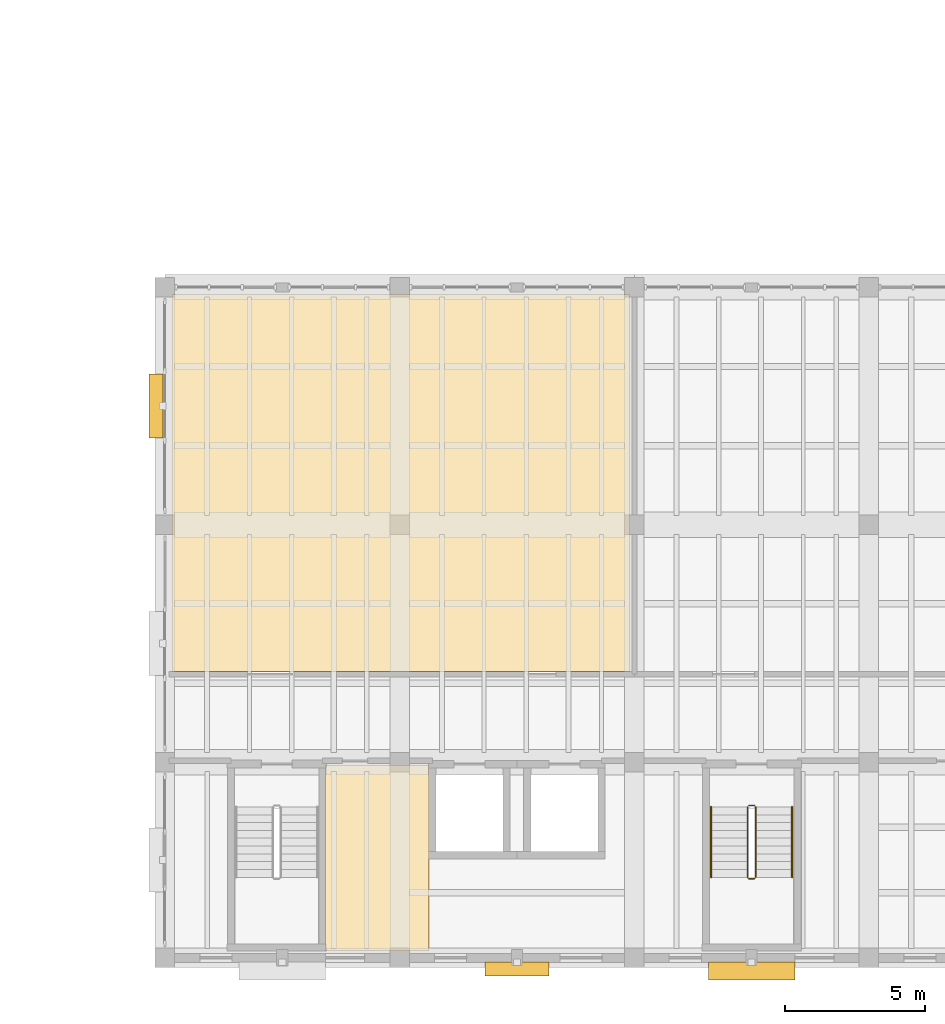
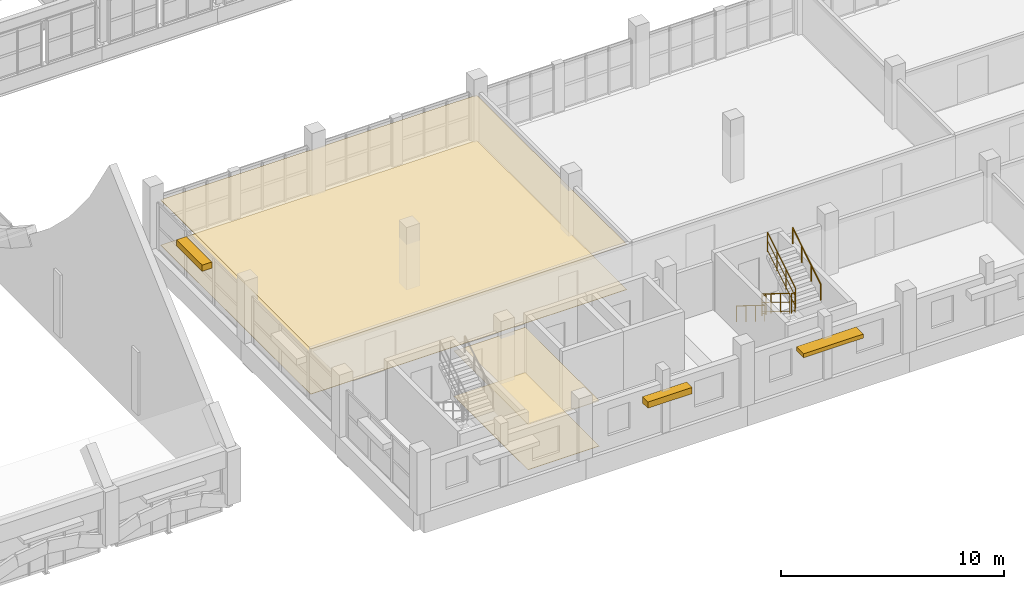
# One storey, part 75 of 77: 6 railings, 4 coverings, 3 shading devices.
"""IFC4 building model written with IfcOpenShell, lengths in metres."""

from ifc_helpers import new_model, si_unit, direction, frame, origin, origin_2d, place, context, subcontext, project, spatial, polyline, rectangle, circle, outline, extrude, material, layer, layer_set, type_object, element, save


model = new_model("IFC4")

# Units and contexts
model_context = context("Model", 3, precision=1e-05, world=origin(), true_north=direction((0.0, 1.0)))
body_context = subcontext(model_context, "Body", "Model", "MODEL_VIEW")
ifc_project = project(units=[si_unit("LENGTHUNIT", "METRE"), si_unit("AREAUNIT", "SQUARE_METRE"), si_unit("VOLUMEUNIT", "CUBIC_METRE"), si_unit("PLANEANGLEUNIT", "RADIAN"), si_unit("MASSUNIT", "GRAM", prefix="KILO")], contexts=[model_context])

# Site, building, storey
site_placement = place(None, origin())
site = spatial("IfcSite", under=ifc_project, at=site_placement, CompositionType="ELEMENT")
building_placement = place(site_placement, origin())
building = spatial("IfcBuilding", under=site, at=building_placement, Name="Trellovar Central Fire Station", CompositionType="ELEMENT")
storey_placement = place(building_placement, frame((0.0, 0.0, 5.85009765625)))
storey = spatial("IfcBuildingStorey", under=building, at=storey_placement, Name="L02", CompositionType="ELEMENT", Elevation=5.85009765625)

# Coverings
ifc_material_1 = material(Name="Perforated acoustic mineral fiber ceiling tile", Category="mineral")
ifc_layer_1 = layer(ifc_material_1, 0.02490234375)
ifc_layer_set_1 = layer_set([ifc_layer_1], Name="Perforated acoustic mineral fiber ceiling tile")
covering_type_1 = type_object("IfcCoveringType", Name="COV-CLG1", PredefinedType="CEILING", material=ifc_layer_set_1)
covering_1_placement = place(storey_placement, frame((0.0, 0.0, 2.47998046875)))
element("IfcCovering", 1, at=covering_1_placement, inside=storey, type_object=covering_type_1, Name="Fire Prevention Plan Review Suite suspended ceiling", PredefinedType="CEILING", context=body_context, shape_type="SweptSolid", body=[
    extrude(outline(polyline([(114.949951171875, 15.89990234375), (114.949951171875, 9.25), (111.25, 9.25), (111.25, 15.89990234375), (114.949951171875, 15.89990234375)])), origin(), (0.0, 0.0, 1.0), 0.02490234375),
])
covering_2_placement = place(storey_placement, frame((0.0, 0.0, 2.47998046875)))
element("IfcCovering", 2, at=covering_2_placement, inside=storey, type_object=covering_type_1, Name="Operations Planning Open Office suspended ceiling", PredefinedType="CEILING", context=body_context, shape_type="SweptSolid", body=[
    extrude(outline(polyline([(122.14990234375, 32.75), (122.14990234375, 19.25), (105.75, 19.25), (105.75, 32.75), (122.14990234375, 32.75)])), origin(), (0.0, 0.0, 1.0), 0.02490234375),
])
ifc_material_2 = material(Name="Vitrified Catalan ceramic floor tile", Category="masonry")
ifc_layer_2 = layer(ifc_material_2, 0.01806640625)
ifc_layer_set_2 = layer_set([ifc_layer_2], Name="Vitrified Catalan ceramic floor tile")
covering_type_2 = type_object("IfcCoveringType", Name="COV-FLR2", PredefinedType="FLOORING", material=ifc_layer_set_2)
covering_3_placement = place(storey_placement, origin())
element("IfcCovering", 3, at=covering_3_placement, inside=storey, type_object=covering_type_2, Name="Fire Prevention Plan Review Suite floor finish", PredefinedType="FLOORING", context=body_context, shape_type="SweptSolid", body=[
    extrude(outline(polyline([(114.949951171875, 15.89990234375), (114.949951171875, 9.25), (111.25, 9.25), (111.25, 15.89990234375), (114.949951171875, 15.89990234375)])), origin(), (0.0, 0.0, 1.0), 0.017822265625),
])
covering_4_placement = place(storey_placement, origin())
element("IfcCovering", 4, at=covering_4_placement, inside=storey, type_object=covering_type_2, Name="Operations Planning Open Office floor finish", PredefinedType="FLOORING", context=body_context, shape_type="SweptSolid", body=[
    extrude(outline(polyline([(122.14990234375, 32.75), (122.14990234375, 19.25), (105.75, 19.25), (105.75, 32.75), (122.14990234375, 32.75)])), origin(), (0.0, 0.0, 1.0), 0.017822265625),
])

# Railings
ifc_material_3 = material(Name="Patina bronze wrought metalwork", Category="metal")
ifc_layer_3 = layer(ifc_material_3, 0.048095703125)
ifc_layer_set_3 = layer_set([ifc_layer_3], Name="Patina bronze wrought metalwork")
railing_type_1 = type_object("IfcRailingType", Name="RL-STAIR", PredefinedType="HANDRAIL", material=ifc_layer_set_3)
railing_1_placement = place(storey_placement, frame((125.050048828125, 14.39990234375, 0.17236328125)))
element("IfcRailing", 5, at=railing_1_placement, inside=storey, type_object=railing_type_1, Name="L02 ST-02 stair handrail 1", PredefinedType="HANDRAIL", context=body_context, shape_type="SweptSolid", body=[
    extrude(circle(Radius=0.02392578125, at=origin_2d()), frame((0.0, 0.0, 0.8759765625), z_axis=(0.0, -0.851400495292, 0.524516154772), x_axis=(1.0, 0.0, 0.0)), (0.0, 0.0, 1.0), 2.9599609375),
    extrude(circle(Radius=0.02099609375, at=origin_2d()), origin(), (0.0, 0.0, 1.0), 0.851806640625),
    extrude(circle(Radius=0.02099609375, at=origin_2d()), frame((0.0, -0.840087890625, 0.517578125)), (0.0, 0.0, 1.0), 0.851806640625),
    extrude(circle(Radius=0.02099609375, at=origin_2d()), frame((0.0, -1.679931640625, 1.034912109375)), (0.0, 0.0, 1.0), 0.851806640625),
    extrude(circle(Radius=0.02099609375, at=origin_2d()), frame((0.0, -2.52001953125, 1.552490234375)), (0.0, 0.0, 1.0), 0.851806640625),
])
railing_2_placement = place(storey_placement, frame((127.949951171875, 11.8798828125, 1.8974609375)))
element("IfcRailing", 6, at=railing_2_placement, inside=storey, type_object=railing_type_1, Name="L02 ST-02 stair handrail 2", PredefinedType="HANDRAIL", context=body_context, shape_type="SweptSolid", body=[
    extrude(circle(Radius=0.02392578125, at=origin_2d()), frame((0.0, 0.0, 0.8759765625), z_axis=(0.0, 0.851400495292, 0.524516154772), x_axis=(-1.0, 0.0, 0.0)), (0.0, 0.0, 1.0), 2.9599609375),
    extrude(circle(Radius=0.02099609375, at=origin_2d()), origin(), (0.0, 0.0, 1.0), 0.851806640625),
    extrude(circle(Radius=0.02099609375, at=origin_2d()), frame((0.0, 0.840087890625, 0.517578125)), (0.0, 0.0, 1.0), 0.851806640625),
    extrude(circle(Radius=0.02099609375, at=origin_2d()), frame((0.0, 1.679931640625, 1.034912109375)), (0.0, 0.0, 1.0), 0.851806640625),
    extrude(circle(Radius=0.02099609375, at=origin_2d()), frame((0.0, 2.52001953125, 1.552490234375)), (0.0, 0.0, 1.0), 0.851806640625),
])
ifc_material_4 = material(Name="Patina bronze wrought metalwork", Category="metal")
ifc_layer_4 = layer(ifc_material_4, 0.050048828125)
ifc_layer_set_4 = layer_set([ifc_layer_4], Name="Patina bronze wrought metalwork")
railing_type_2 = type_object("IfcRailingType", Name="RL-STGUARD", PredefinedType="GUARDRAIL", material=ifc_layer_set_4)
railing_3_placement = place(storey_placement, frame((126.35009765625, 14.39990234375, 0.17236328125)))
element("IfcRailing", 7, at=railing_3_placement, inside=storey, type_object=railing_type_2, Name="L02 ST-02 stair guard 1", PredefinedType="GUARDRAIL", context=body_context, shape_type="SweptSolid", body=[
    extrude(circle(Radius=0.02392578125, at=origin_2d()), frame((0.0, 0.0, 1.076171875), z_axis=(0.0, -0.851400495292, 0.524516154772), x_axis=(1.0, 0.0, 0.0)), (0.0, 0.0, 1.0), 2.9599609375),
    extrude(circle(Radius=0.015625, at=origin_2d()), frame((0.0, 0.0, 0.10009765625), z_axis=(0.0, -0.851400495292, 0.524516154772), x_axis=(1.0, 0.0, 0.0)), (0.0, 0.0, 1.0), 2.9599609375),
    extrude(circle(Radius=0.015625, at=origin_2d()), frame((0.0, 0.0, 0.60498046875), z_axis=(0.0, -0.851400495292, 0.524516154772), x_axis=(1.0, 0.0, 0.0)), (0.0, 0.0, 1.0), 2.9599609375),
    extrude(circle(Radius=0.02099609375, at=origin_2d()), origin(), (0.0, 0.0, 1.0), 1.052001953125),
    extrude(circle(Radius=0.02099609375, at=origin_2d()), frame((0.0, -0.840087890625, 0.517578125)), (0.0, 0.0, 1.0), 1.052001953125),
    extrude(circle(Radius=0.02099609375, at=origin_2d()), frame((0.0, -1.679931640625, 1.034912109375)), (0.0, 0.0, 1.0), 1.052001953125),
    extrude(circle(Radius=0.02099609375, at=origin_2d()), frame((0.0, -2.52001953125, 1.552490234375)), (0.0, 0.0, 1.0), 1.052001953125),
])
railing_4_placement = place(storey_placement, frame((126.39990234375, 11.830078125, 1.724853515625)))
element("IfcRailing", 8, at=railing_4_placement, inside=storey, type_object=railing_type_2, Name="L02 ST-02 stair guard 2", PredefinedType="GUARDRAIL", context=body_context, shape_type="SweptSolid", body=[
    extrude(circle(Radius=0.02392578125, at=origin_2d()), frame((0.0, 0.0, 1.076171875), z_axis=(1.0, 0.0, 0.0), x_axis=(0.0, 1.0, 0.0)), (0.0, 0.0, 1.0), 0.2001953125),
    extrude(circle(Radius=0.015625, at=origin_2d()), frame((0.0, 0.0, 0.10009765625), z_axis=(1.0, 0.0, 0.0), x_axis=(0.0, 1.0, 0.0)), (0.0, 0.0, 1.0), 0.2001953125),
    extrude(circle(Radius=0.015625, at=origin_2d()), frame((0.0, 0.0, 0.60498046875), z_axis=(1.0, 0.0, 0.0), x_axis=(0.0, 1.0, 0.0)), (0.0, 0.0, 1.0), 0.2001953125),
    extrude(circle(Radius=0.02099609375, at=origin_2d()), origin(), (0.0, 0.0, 1.0), 1.052001953125),
    extrude(circle(Radius=0.02099609375, at=origin_2d()), frame((0.2001953125, 0.0, 0.0)), (0.0, 0.0, 1.0), 1.052001953125),
])
railing_5_placement = place(storey_placement, frame((126.64990234375, 11.8798828125, 1.8974609375)))
element("IfcRailing", 9, at=railing_5_placement, inside=storey, type_object=railing_type_2, Name="L02 ST-02 stair guard 3", PredefinedType="GUARDRAIL", context=body_context, shape_type="SweptSolid", body=[
    extrude(circle(Radius=0.02392578125, at=origin_2d()), frame((0.0, 0.0, 1.076171875), z_axis=(0.0, 0.851400495292, 0.524516154772), x_axis=(-1.0, 0.0, 0.0)), (0.0, 0.0, 1.0), 2.9599609375),
    extrude(circle(Radius=0.015625, at=origin_2d()), frame((0.0, 0.0, 0.10009765625), z_axis=(0.0, 0.851400495292, 0.524516154772), x_axis=(-1.0, 0.0, 0.0)), (0.0, 0.0, 1.0), 2.9599609375),
    extrude(circle(Radius=0.015625, at=origin_2d()), frame((0.0, 0.0, 0.60498046875), z_axis=(0.0, 0.851400495292, 0.524516154772), x_axis=(-1.0, 0.0, 0.0)), (0.0, 0.0, 1.0), 2.9599609375),
    extrude(circle(Radius=0.02099609375, at=origin_2d()), origin(), (0.0, 0.0, 1.0), 1.052001953125),
    extrude(circle(Radius=0.02099609375, at=origin_2d()), frame((0.0, 0.840087890625, 0.517578125)), (0.0, 0.0, 1.0), 1.052001953125),
    extrude(circle(Radius=0.02099609375, at=origin_2d()), frame((0.0, 1.679931640625, 1.034912109375)), (0.0, 0.0, 1.0), 1.052001953125),
    extrude(circle(Radius=0.02099609375, at=origin_2d()), frame((0.0, 2.52001953125, 1.552490234375)), (0.0, 0.0, 1.0), 1.052001953125),
])
railing_6_placement = place(storey_placement, frame((126.39990234375, 14.449951171875, 0.0)))
element("IfcRailing", 10, at=railing_6_placement, inside=storey, type_object=railing_type_2, Name="L02 ST-02 stair guard 4", PredefinedType="GUARDRAIL", context=body_context, shape_type="SweptSolid", body=[
    extrude(circle(Radius=0.02392578125, at=origin_2d()), frame((0.0, 0.0, 1.076171875), z_axis=(1.0, 0.0, 0.0), x_axis=(0.0, 1.0, 0.0)), (0.0, 0.0, 1.0), 0.2001953125),
    extrude(circle(Radius=0.015625, at=origin_2d()), frame((0.0, 0.0, 0.10009765625), z_axis=(1.0, 0.0, 0.0), x_axis=(0.0, 1.0, 0.0)), (0.0, 0.0, 1.0), 0.2001953125),
    extrude(circle(Radius=0.015625, at=origin_2d()), frame((0.0, 0.0, 0.60498046875), z_axis=(1.0, 0.0, 0.0), x_axis=(0.0, 1.0, 0.0)), (0.0, 0.0, 1.0), 0.2001953125),
    extrude(circle(Radius=0.02099609375, at=origin_2d()), origin(), (0.0, 0.0, 1.0), 1.052001953125),
    extrude(circle(Radius=0.02099609375, at=origin_2d()), frame((0.2001953125, 0.0, 0.0)), (0.0, 0.0, 1.0), 1.052001953125),
])

# Shading devices
ifc_material_5 = material(Name="Glazed ceramic trencadis and terracotta panel", Category="masonry")
shading_device_type_1 = type_object("IfcShadingDeviceType", Name="SHD-LV1", PredefinedType="JALOUSIE", material=ifc_material_5)
for number, where, z_axis, x_axis, name in (
    (11, (118.10009765625, 8.60498046875, 1.9296875), (0.0, 0.0, 1.0), (1.0, 0.0, 0.0), "L02 Catalan solar brise-soleil LV-1"),
    (12, (105.18505859375, 28.75, 1.97998046875), (0.0, 0.0, 1.0), (0.0, 1.0, 0.0), "L02 Catalan solar brise-soleil LV-1"),
):
    element("IfcShadingDevice", number, at=place(storey_placement, frame(where, z_axis=z_axis, x_axis=x_axis)), inside=storey, type_object=shading_device_type_1, Name=name, PredefinedType="JALOUSIE", context=body_context, shape_type="SweptSolid", body=[
        extrude(rectangle(XDim=2.300048828125, YDim=0.5, at=origin_2d()), origin(), (0.0, 0.0, 1.0), 0.340087890625),
    ])
ifc_material_6 = material(Name="Patina bronze wrought metalwork", Category="metal")
shading_device_type_2 = type_object("IfcShadingDeviceType", Name="SHD-LV4", PredefinedType="AWNING", material=ifc_material_6)
shading_device_placement = place(storey_placement, frame((126.5, 8.530029296875, 1.98974609375), z_axis=(0.0, 0.0, 1.0), x_axis=(1.0, 0.0, 0.0)))
element("IfcShadingDevice", 13, at=shading_device_placement, inside=storey, type_object=shading_device_type_2, Name="L02 Catalan solar brise-soleil LV-4", PredefinedType="AWNING", context=body_context, shape_type="SweptSolid", body=[
    extrude(rectangle(XDim=3.10009765625, YDim=0.64990234375, at=origin_2d()), origin(), (0.0, 0.0, 1.0), 0.219970703125),
])

save(model, "model.ifc")
